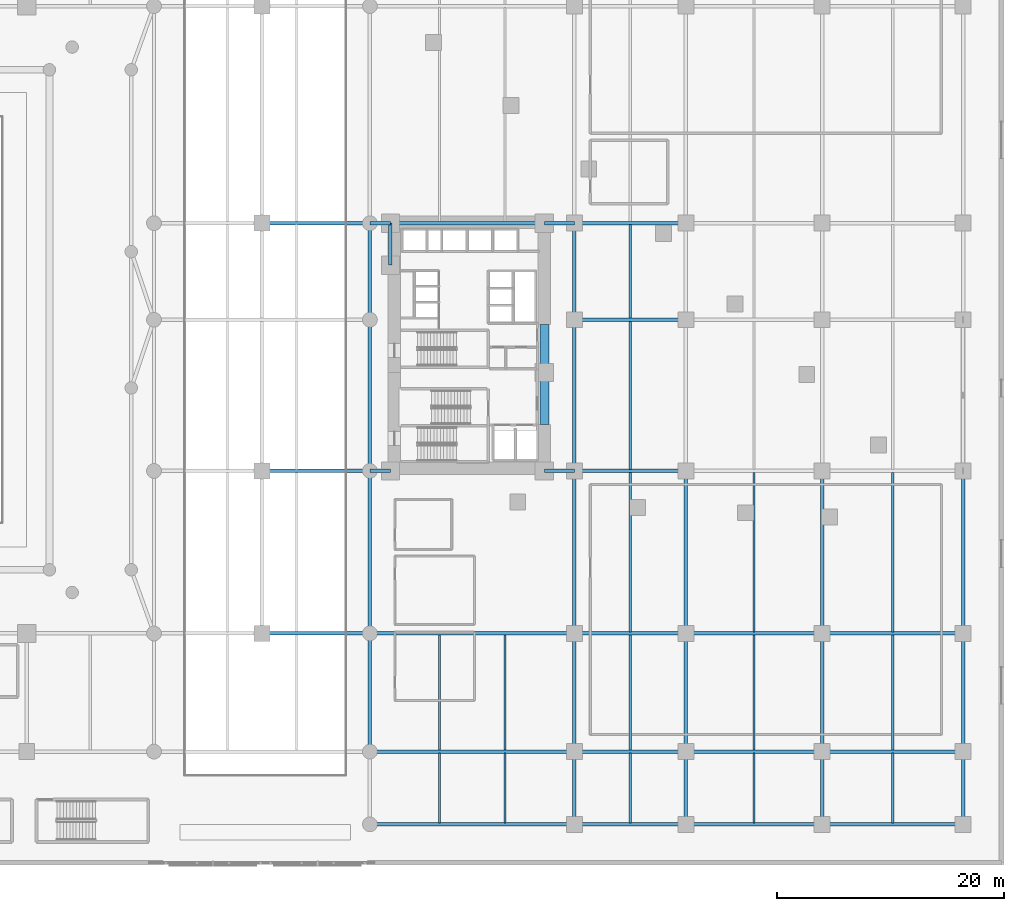
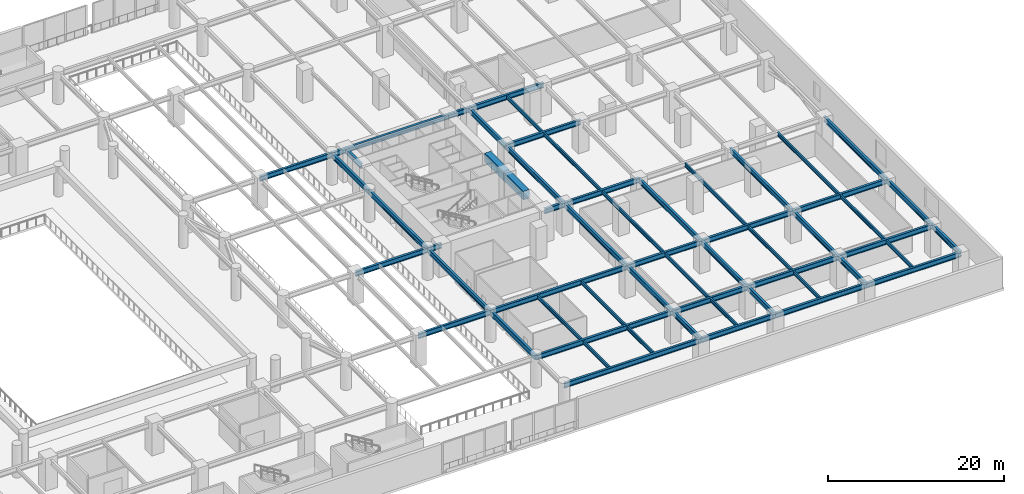
# One storey, part 5 of 32: 59 beams.
"""IFC4 building model written with IfcOpenShell, lengths in metres."""

from ifc_helpers import new_model, si_unit, direction, frame, origin, origin_2d, place, context, subcontext, project, spatial, rectangle, i_section, extrude, material, material_profile, profile_set, type_object, element, save


model = new_model("IFC4")

# Units and contexts
model_context = context("Model", 3, precision=1e-05, world=origin(), true_north=direction((0.0, 1.0)))
body_context = subcontext(model_context, "Body", "Model", "MODEL_VIEW")
ifc_project = project(units=[si_unit("LENGTHUNIT", "METRE"), si_unit("AREAUNIT", "SQUARE_METRE"), si_unit("VOLUMEUNIT", "CUBIC_METRE"), si_unit("PLANEANGLEUNIT", "RADIAN"), si_unit("MASSUNIT", "GRAM", prefix="KILO")], contexts=[model_context])

# Site, building, storey
site_placement = place(None, origin())
site = spatial("IfcSite", under=ifc_project, at=site_placement, CompositionType="ELEMENT")
building_placement = place(site_placement, origin())
building = spatial("IfcBuilding", under=site, at=building_placement, Name="Narakoshi Arena Tower", CompositionType="ELEMENT")
storey_placement = place(building_placement, frame((0.0, 0.0, 4.5)))
storey = spatial("IfcBuildingStorey", under=building, at=storey_placement, Name="L01", CompositionType="ELEMENT", Elevation=4.5)

# Beams
ifc_material_1 = material(Name="Concrete C60/75", Category="concrete")
ifc_material_profile_1 = material_profile(ifc_material_1, rectangle(XDim=0.800048828125, YDim=1.199951171875, at=origin_2d()), Name="RCB800x1200")
ifc_profile_set_1 = profile_set([ifc_material_profile_1], Name="Concrete C60/75")
beam_type_1 = type_object("IfcBeamType", Name="BM-CPL-1200", PredefinedType="LINTEL", material=ifc_profile_set_1)
beam_1_placement = place(storey_placement, frame((85.550048828125, 38.800048828125, 3.580078125), z_axis=(0.0, 1.0, 0.0), x_axis=(-1.0, 0.0, 0.0)))
element("IfcBeam", 1, at=beam_1_placement, inside=storey, type_object=beam_type_1, Name="L01 Core Seismic Coupling Beam 1", PredefinedType="LINTEL", context=body_context, shape_type="SweptSolid", body=[
    extrude(rectangle(XDim=0.800048828125, YDim=1.199951171875, at=origin_2d()), origin(), (0.0, 0.0, 1.0), 4.550048828125),
])
beam_2_placement = place(storey_placement, frame((85.550048828125, 43.35009765625, 3.580078125), z_axis=(0.0, 1.0, 0.0), x_axis=(-1.0, 0.0, 0.0)))
element("IfcBeam", 2, at=beam_2_placement, inside=storey, type_object=beam_type_1, Name="L01 Core Seismic Coupling Beam 2", PredefinedType="LINTEL", context=body_context, shape_type="SweptSolid", body=[
    extrude(rectangle(XDim=0.800048828125, YDim=1.199951171875, at=origin_2d()), origin(), (0.0, 0.0, 1.0), 4.25),
])
ifc_material_2 = material(Name="Structural steel S355J2", Category="steel")
ifc_material_profile_2 = material_profile(ifc_material_2, i_section(OverallWidth=0.300048828125, OverallDepth=0.699951171875, WebThickness=0.01708984375, FlangeThickness=0.031982421875, FilletRadius=0.027099609375, at=origin_2d()), Name="HE700B")
ifc_profile_set_2 = profile_set([ifc_material_profile_2], Name="Structural steel S355J2")
beam_type_2 = type_object("IfcBeamType", Name="BM-PRI-700", PredefinedType="BEAM", material=ifc_profile_set_2)
beam_3_placement = place(storey_placement, frame((70.199951171875, 3.60009765625, 3.830078125), z_axis=(1.0, 0.0, 0.0), x_axis=(0.0, 1.0, 0.0)))
element("IfcBeam", 3, at=beam_3_placement, inside=storey, type_object=beam_type_2, Name="L01 Podium Primary X-Girder 001", PredefinedType="BEAM", context=body_context, shape_type="SweptSolid", body=[
    extrude(i_section(OverallWidth=0.300048828125, OverallDepth=0.699951171875, WebThickness=0.01708984375, FlangeThickness=0.031982421875, FilletRadius=0.027099609375, at=origin_2d()), origin(), (0.0, 0.0, 1.0), 18.0),
])
beam_4_placement = place(storey_placement, frame((88.199951171875, 3.60009765625, 3.830078125), z_axis=(1.0, 0.0, 0.0), x_axis=(0.0, 1.0, 0.0)))
element("IfcBeam", 4, at=beam_4_placement, inside=storey, type_object=beam_type_2, Name="L01 Podium Primary X-Girder 002", PredefinedType="BEAM", context=body_context, shape_type="SweptSolid", body=[
    extrude(i_section(OverallWidth=0.300048828125, OverallDepth=0.699951171875, WebThickness=0.01708984375, FlangeThickness=0.031982421875, FilletRadius=0.027099609375, at=origin_2d()), origin(), (0.0, 0.0, 1.0), 9.800048828125),
])
beam_5_placement = place(storey_placement, frame((98.0, 3.60009765625, 3.830078125), z_axis=(1.0, 0.0, 0.0), x_axis=(0.0, 1.0, 0.0)))
element("IfcBeam", 5, at=beam_5_placement, inside=storey, type_object=beam_type_2, Name="L01 Podium Primary X-Girder 003", PredefinedType="BEAM", context=body_context, shape_type="SweptSolid", body=[
    extrude(i_section(OverallWidth=0.300048828125, OverallDepth=0.699951171875, WebThickness=0.01708984375, FlangeThickness=0.031982421875, FilletRadius=0.027099609375, at=origin_2d()), origin(), (0.0, 0.0, 1.0), 12.0),
])
beam_6_placement = place(storey_placement, frame((110.0, 3.60009765625, 3.830078125), z_axis=(1.0, 0.0, 0.0), x_axis=(0.0, 1.0, 0.0)))
element("IfcBeam", 6, at=beam_6_placement, inside=storey, type_object=beam_type_2, Name="L01 Podium Primary X-Girder 004", PredefinedType="BEAM", context=body_context, shape_type="SweptSolid", body=[
    extrude(i_section(OverallWidth=0.300048828125, OverallDepth=0.699951171875, WebThickness=0.01708984375, FlangeThickness=0.031982421875, FilletRadius=0.027099609375, at=origin_2d()), origin(), (0.0, 0.0, 1.0), 12.39990234375),
])
beam_7_placement = place(storey_placement, frame((70.199951171875, 10.0, 3.830078125), z_axis=(1.0, 0.0, 0.0), x_axis=(0.0, 1.0, 0.0)))
element("IfcBeam", 7, at=beam_7_placement, inside=storey, type_object=beam_type_2, Name="L01 Podium Primary X-Girder 010", PredefinedType="BEAM", context=body_context, shape_type="SweptSolid", body=[
    extrude(i_section(OverallWidth=0.300048828125, OverallDepth=0.699951171875, WebThickness=0.01708984375, FlangeThickness=0.031982421875, FilletRadius=0.027099609375, at=origin_2d()), origin(), (0.0, 0.0, 1.0), 18.0),
])
beam_8_placement = place(storey_placement, frame((88.199951171875, 10.0, 3.830078125), z_axis=(1.0, 0.0, 0.0), x_axis=(0.0, 1.0, 0.0)))
element("IfcBeam", 8, at=beam_8_placement, inside=storey, type_object=beam_type_2, Name="L01 Podium Primary X-Girder 011", PredefinedType="BEAM", context=body_context, shape_type="SweptSolid", body=[
    extrude(i_section(OverallWidth=0.300048828125, OverallDepth=0.699951171875, WebThickness=0.01708984375, FlangeThickness=0.031982421875, FilletRadius=0.027099609375, at=origin_2d()), origin(), (0.0, 0.0, 1.0), 9.800048828125),
])
beam_9_placement = place(storey_placement, frame((98.0, 10.0, 3.830078125), z_axis=(1.0, 0.0, 0.0), x_axis=(0.0, 1.0, 0.0)))
element("IfcBeam", 9, at=beam_9_placement, inside=storey, type_object=beam_type_2, Name="L01 Podium Primary X-Girder 012", PredefinedType="BEAM", context=body_context, shape_type="SweptSolid", body=[
    extrude(i_section(OverallWidth=0.300048828125, OverallDepth=0.699951171875, WebThickness=0.01708984375, FlangeThickness=0.031982421875, FilletRadius=0.027099609375, at=origin_2d()), origin(), (0.0, 0.0, 1.0), 12.0),
])
beam_10_placement = place(storey_placement, frame((110.0, 10.0, 3.830078125), z_axis=(1.0, 0.0, 0.0), x_axis=(0.0, 1.0, 0.0)))
element("IfcBeam", 10, at=beam_10_placement, inside=storey, type_object=beam_type_2, Name="L01 Podium Primary X-Girder 013", PredefinedType="BEAM", context=body_context, shape_type="SweptSolid", body=[
    extrude(i_section(OverallWidth=0.300048828125, OverallDepth=0.699951171875, WebThickness=0.01708984375, FlangeThickness=0.031982421875, FilletRadius=0.027099609375, at=origin_2d()), origin(), (0.0, 0.0, 1.0), 12.39990234375),
])
beam_11_placement = place(storey_placement, frame((60.699951171875, 20.39990234375, 3.830078125), z_axis=(1.0, 0.0, 0.0), x_axis=(0.0, 1.0, 0.0)))
element("IfcBeam", 11, at=beam_11_placement, inside=storey, type_object=beam_type_2, Name="L01 Podium Primary X-Girder 019", PredefinedType="BEAM", context=body_context, shape_type="SweptSolid", body=[
    extrude(i_section(OverallWidth=0.300048828125, OverallDepth=0.699951171875, WebThickness=0.01708984375, FlangeThickness=0.031982421875, FilletRadius=0.027099609375, at=origin_2d()), origin(), (0.0, 0.0, 1.0), 9.5),
])
beam_12_placement = place(storey_placement, frame((70.199951171875, 20.39990234375, 3.830078125), z_axis=(1.0, 0.0, 0.0), x_axis=(0.0, 1.0, 0.0)))
element("IfcBeam", 12, at=beam_12_placement, inside=storey, type_object=beam_type_2, Name="L01 Podium Primary X-Girder 020", PredefinedType="BEAM", context=body_context, shape_type="SweptSolid", body=[
    extrude(i_section(OverallWidth=0.300048828125, OverallDepth=0.699951171875, WebThickness=0.01708984375, FlangeThickness=0.031982421875, FilletRadius=0.027099609375, at=origin_2d()), origin(), (0.0, 0.0, 1.0), 18.0),
])
beam_13_placement = place(storey_placement, frame((88.199951171875, 20.39990234375, 3.830078125), z_axis=(1.0, 0.0, 0.0), x_axis=(0.0, 1.0, 0.0)))
element("IfcBeam", 13, at=beam_13_placement, inside=storey, type_object=beam_type_2, Name="L01 Podium Primary X-Girder 021", PredefinedType="BEAM", context=body_context, shape_type="SweptSolid", body=[
    extrude(i_section(OverallWidth=0.300048828125, OverallDepth=0.699951171875, WebThickness=0.01708984375, FlangeThickness=0.031982421875, FilletRadius=0.027099609375, at=origin_2d()), origin(), (0.0, 0.0, 1.0), 9.800048828125),
])
beam_14_placement = place(storey_placement, frame((98.0, 20.39990234375, 3.830078125), z_axis=(1.0, 0.0, 0.0), x_axis=(0.0, 1.0, 0.0)))
element("IfcBeam", 14, at=beam_14_placement, inside=storey, type_object=beam_type_2, Name="L01 Podium Primary X-Girder 022", PredefinedType="BEAM", context=body_context, shape_type="SweptSolid", body=[
    extrude(i_section(OverallWidth=0.300048828125, OverallDepth=0.699951171875, WebThickness=0.01708984375, FlangeThickness=0.031982421875, FilletRadius=0.027099609375, at=origin_2d()), origin(), (0.0, 0.0, 1.0), 12.0),
])
beam_15_placement = place(storey_placement, frame((110.0, 20.39990234375, 3.830078125), z_axis=(1.0, 0.0, 0.0), x_axis=(0.0, 1.0, 0.0)))
element("IfcBeam", 15, at=beam_15_placement, inside=storey, type_object=beam_type_2, Name="L01 Podium Primary X-Girder 023", PredefinedType="BEAM", context=body_context, shape_type="SweptSolid", body=[
    extrude(i_section(OverallWidth=0.300048828125, OverallDepth=0.699951171875, WebThickness=0.01708984375, FlangeThickness=0.031982421875, FilletRadius=0.027099609375, at=origin_2d()), origin(), (0.0, 0.0, 1.0), 12.39990234375),
])
beam_16_placement = place(storey_placement, frame((60.699951171875, 34.699951171875, 3.830078125), z_axis=(1.0, 0.0, 0.0), x_axis=(0.0, 1.0, 0.0)))
element("IfcBeam", 16, at=beam_16_placement, inside=storey, type_object=beam_type_2, Name="L01 Podium Primary X-Girder 025", PredefinedType="BEAM", context=body_context, shape_type="SweptSolid", body=[
    extrude(i_section(OverallWidth=0.300048828125, OverallDepth=0.699951171875, WebThickness=0.01708984375, FlangeThickness=0.031982421875, FilletRadius=0.027099609375, at=origin_2d()), origin(), (0.0, 0.0, 1.0), 9.5),
])
beam_17_placement = place(storey_placement, frame((70.199951171875, 34.699951171875, 3.830078125), z_axis=(1.0, 0.0, 0.0), x_axis=(0.0, 1.0, 0.0)))
element("IfcBeam", 17, at=beam_17_placement, inside=storey, type_object=beam_type_2, Name="L01 Podium Primary X-Girder 026", PredefinedType="BEAM", context=body_context, shape_type="SweptSolid", body=[
    extrude(i_section(OverallWidth=0.300048828125, OverallDepth=0.699951171875, WebThickness=0.01708984375, FlangeThickness=0.031982421875, FilletRadius=0.027099609375, at=origin_2d()), origin(), (0.0, 0.0, 1.0), 1.800048828125),
])
beam_18_placement = place(storey_placement, frame((85.550048828125, 34.699951171875, 3.830078125), z_axis=(1.0, 0.0, 0.0), x_axis=(0.0, 1.0, 0.0)))
element("IfcBeam", 18, at=beam_18_placement, inside=storey, type_object=beam_type_2, Name="L01 Podium Primary X-Girder 027", PredefinedType="BEAM", context=body_context, shape_type="SweptSolid", body=[
    extrude(i_section(OverallWidth=0.300048828125, OverallDepth=0.699951171875, WebThickness=0.01708984375, FlangeThickness=0.031982421875, FilletRadius=0.027099609375, at=origin_2d()), origin(), (0.0, 0.0, 1.0), 2.64990234375),
])
for number, where, z_axis, x_axis, name in (
    (19, (88.199951171875, 34.699951171875, 3.830078125), (1.0, 0.0, 0.0), (0.0, 1.0, 0.0), "L01 Podium Primary X-Girder 028"),
    (20, (88.199951171875, 48.0, 3.830078125), (1.0, 0.0, 0.0), (0.0, 1.0, 0.0), "L01 Podium Primary X-Girder 032"),
):
    element("IfcBeam", number, at=place(storey_placement, frame(where, z_axis=z_axis, x_axis=x_axis)), inside=storey, type_object=beam_type_2, Name=name, PredefinedType="BEAM", context=body_context, shape_type="SweptSolid", body=[
        extrude(i_section(OverallWidth=0.300048828125, OverallDepth=0.699951171875, WebThickness=0.01708984375, FlangeThickness=0.031982421875, FilletRadius=0.027099609375, at=origin_2d()), origin(), (0.0, 0.0, 1.0), 9.800048828125),
    ])
beam_19_placement = place(storey_placement, frame((60.699951171875, 56.5, 3.830078125), z_axis=(1.0, 0.0, 0.0), x_axis=(0.0, 1.0, 0.0)))
element("IfcBeam", 21, at=beam_19_placement, inside=storey, type_object=beam_type_2, Name="L01 Podium Primary X-Girder 036", PredefinedType="BEAM", context=body_context, shape_type="SweptSolid", body=[
    extrude(i_section(OverallWidth=0.300048828125, OverallDepth=0.699951171875, WebThickness=0.01708984375, FlangeThickness=0.031982421875, FilletRadius=0.027099609375, at=origin_2d()), origin(), (0.0, 0.0, 1.0), 9.5),
])
beam_20_placement = place(storey_placement, frame((70.199951171875, 56.5, 3.830078125), z_axis=(1.0, 0.0, 0.0), x_axis=(0.0, 1.0, 0.0)))
element("IfcBeam", 22, at=beam_20_placement, inside=storey, type_object=beam_type_2, Name="L01 Podium Primary X-Girder 037", PredefinedType="BEAM", context=body_context, shape_type="SweptSolid", body=[
    extrude(i_section(OverallWidth=0.300048828125, OverallDepth=0.699951171875, WebThickness=0.01708984375, FlangeThickness=0.031982421875, FilletRadius=0.027099609375, at=origin_2d()), origin(), (0.0, 0.0, 1.0), 1.800048828125),
])
beam_21_placement = place(storey_placement, frame((72.0, 56.5, 3.830078125), z_axis=(1.0, 0.0, 0.0), x_axis=(0.0, 1.0, 0.0)))
element("IfcBeam", 23, at=beam_21_placement, inside=storey, type_object=beam_type_2, Name="L01 Podium Primary X-Girder 038", PredefinedType="BEAM", context=body_context, shape_type="SweptSolid", body=[
    extrude(i_section(OverallWidth=0.300048828125, OverallDepth=0.699951171875, WebThickness=0.01708984375, FlangeThickness=0.031982421875, FilletRadius=0.027099609375, at=origin_2d()), origin(), (0.0, 0.0, 1.0), 13.550048828125),
])
beam_22_placement = place(storey_placement, frame((85.550048828125, 56.5, 3.830078125), z_axis=(1.0, 0.0, 0.0), x_axis=(0.0, 1.0, 0.0)))
element("IfcBeam", 24, at=beam_22_placement, inside=storey, type_object=beam_type_2, Name="L01 Podium Primary X-Girder 039", PredefinedType="BEAM", context=body_context, shape_type="SweptSolid", body=[
    extrude(i_section(OverallWidth=0.300048828125, OverallDepth=0.699951171875, WebThickness=0.01708984375, FlangeThickness=0.031982421875, FilletRadius=0.027099609375, at=origin_2d()), origin(), (0.0, 0.0, 1.0), 2.64990234375),
])
beam_23_placement = place(storey_placement, frame((88.199951171875, 56.5, 3.830078125), z_axis=(1.0, 0.0, 0.0), x_axis=(0.0, 1.0, 0.0)))
element("IfcBeam", 25, at=beam_23_placement, inside=storey, type_object=beam_type_2, Name="L01 Podium Primary X-Girder 040", PredefinedType="BEAM", context=body_context, shape_type="SweptSolid", body=[
    extrude(i_section(OverallWidth=0.300048828125, OverallDepth=0.699951171875, WebThickness=0.01708984375, FlangeThickness=0.031982421875, FilletRadius=0.027099609375, at=origin_2d()), origin(), (0.0, 0.0, 1.0), 9.800048828125),
])
beam_24_placement = place(storey_placement, frame((70.199951171875, 10.0, 3.830078125), z_axis=(0.0, 1.0, 0.0), x_axis=(-1.0, 0.0, 0.0)))
element("IfcBeam", 26, at=beam_24_placement, inside=storey, type_object=beam_type_2, Name="L01 Podium Primary Y-Girder 090", PredefinedType="BEAM", context=body_context, shape_type="SweptSolid", body=[
    extrude(i_section(OverallWidth=0.300048828125, OverallDepth=0.699951171875, WebThickness=0.01708984375, FlangeThickness=0.031982421875, FilletRadius=0.027099609375, at=origin_2d()), origin(), (0.0, 0.0, 1.0), 10.39990234375),
])
beam_25_placement = place(storey_placement, frame((70.199951171875, 20.39990234375, 3.830078125), z_axis=(0.0, 1.0, 0.0), x_axis=(-1.0, 0.0, 0.0)))
element("IfcBeam", 27, at=beam_25_placement, inside=storey, type_object=beam_type_2, Name="L01 Podium Primary Y-Girder 091", PredefinedType="BEAM", context=body_context, shape_type="SweptSolid", body=[
    extrude(i_section(OverallWidth=0.300048828125, OverallDepth=0.699951171875, WebThickness=0.01708984375, FlangeThickness=0.031982421875, FilletRadius=0.027099609375, at=origin_2d()), origin(), (0.0, 0.0, 1.0), 14.300048828125),
])
beam_26_placement = place(storey_placement, frame((70.199951171875, 34.699951171875, 3.830078125), z_axis=(0.0, 1.0, 0.0), x_axis=(-1.0, 0.0, 0.0)))
element("IfcBeam", 28, at=beam_26_placement, inside=storey, type_object=beam_type_2, Name="L01 Podium Primary Y-Girder 092", PredefinedType="BEAM", context=body_context, shape_type="SweptSolid", body=[
    extrude(i_section(OverallWidth=0.300048828125, OverallDepth=0.699951171875, WebThickness=0.01708984375, FlangeThickness=0.031982421875, FilletRadius=0.027099609375, at=origin_2d()), origin(), (0.0, 0.0, 1.0), 13.300048828125),
])
beam_27_placement = place(storey_placement, frame((70.199951171875, 48.0, 3.830078125), z_axis=(0.0, 1.0, 0.0), x_axis=(-1.0, 0.0, 0.0)))
element("IfcBeam", 29, at=beam_27_placement, inside=storey, type_object=beam_type_2, Name="L01 Podium Primary Y-Girder 093", PredefinedType="BEAM", context=body_context, shape_type="SweptSolid", body=[
    extrude(i_section(OverallWidth=0.300048828125, OverallDepth=0.699951171875, WebThickness=0.01708984375, FlangeThickness=0.031982421875, FilletRadius=0.027099609375, at=origin_2d()), origin(), (0.0, 0.0, 1.0), 8.5),
])
beam_28_placement = place(storey_placement, frame((72.0, 52.800048828125, 3.830078125), z_axis=(0.0, 1.0, 0.0), x_axis=(-1.0, 0.0, 0.0)))
element("IfcBeam", 30, at=beam_28_placement, inside=storey, type_object=beam_type_2, Name="L01 Podium Primary Y-Girder 097", PredefinedType="BEAM", context=body_context, shape_type="SweptSolid", body=[
    extrude(i_section(OverallWidth=0.300048828125, OverallDepth=0.699951171875, WebThickness=0.01708984375, FlangeThickness=0.031982421875, FilletRadius=0.027099609375, at=origin_2d()), origin(), (0.0, 0.0, 1.0), 3.699951171875),
])
beam_29_placement = place(storey_placement, frame((88.199951171875, 3.60009765625, 3.830078125), z_axis=(0.0, 1.0, 0.0), x_axis=(-1.0, 0.0, 0.0)))
element("IfcBeam", 31, at=beam_29_placement, inside=storey, type_object=beam_type_2, Name="L01 Podium Primary Y-Girder 098", PredefinedType="BEAM", context=body_context, shape_type="SweptSolid", body=[
    extrude(i_section(OverallWidth=0.300048828125, OverallDepth=0.699951171875, WebThickness=0.01708984375, FlangeThickness=0.031982421875, FilletRadius=0.027099609375, at=origin_2d()), origin(), (0.0, 0.0, 1.0), 6.39990234375),
])
beam_30_placement = place(storey_placement, frame((88.199951171875, 10.0, 3.830078125), z_axis=(0.0, 1.0, 0.0), x_axis=(-1.0, 0.0, 0.0)))
element("IfcBeam", 32, at=beam_30_placement, inside=storey, type_object=beam_type_2, Name="L01 Podium Primary Y-Girder 099", PredefinedType="BEAM", context=body_context, shape_type="SweptSolid", body=[
    extrude(i_section(OverallWidth=0.300048828125, OverallDepth=0.699951171875, WebThickness=0.01708984375, FlangeThickness=0.031982421875, FilletRadius=0.027099609375, at=origin_2d()), origin(), (0.0, 0.0, 1.0), 10.39990234375),
])
beam_31_placement = place(storey_placement, frame((88.199951171875, 20.39990234375, 3.830078125), z_axis=(0.0, 1.0, 0.0), x_axis=(-1.0, 0.0, 0.0)))
element("IfcBeam", 33, at=beam_31_placement, inside=storey, type_object=beam_type_2, Name="L01 Podium Primary Y-Girder 100", PredefinedType="BEAM", context=body_context, shape_type="SweptSolid", body=[
    extrude(i_section(OverallWidth=0.300048828125, OverallDepth=0.699951171875, WebThickness=0.01708984375, FlangeThickness=0.031982421875, FilletRadius=0.027099609375, at=origin_2d()), origin(), (0.0, 0.0, 1.0), 14.300048828125),
])
beam_32_placement = place(storey_placement, frame((88.199951171875, 34.699951171875, 3.830078125), z_axis=(0.0, 1.0, 0.0), x_axis=(-1.0, 0.0, 0.0)))
element("IfcBeam", 34, at=beam_32_placement, inside=storey, type_object=beam_type_2, Name="L01 Podium Primary Y-Girder 101", PredefinedType="BEAM", context=body_context, shape_type="SweptSolid", body=[
    extrude(i_section(OverallWidth=0.300048828125, OverallDepth=0.699951171875, WebThickness=0.01708984375, FlangeThickness=0.031982421875, FilletRadius=0.027099609375, at=origin_2d()), origin(), (0.0, 0.0, 1.0), 13.300048828125),
])
beam_33_placement = place(storey_placement, frame((88.199951171875, 48.0, 3.830078125), z_axis=(0.0, 1.0, 0.0), x_axis=(-1.0, 0.0, 0.0)))
element("IfcBeam", 35, at=beam_33_placement, inside=storey, type_object=beam_type_2, Name="L01 Podium Primary Y-Girder 102", PredefinedType="BEAM", context=body_context, shape_type="SweptSolid", body=[
    extrude(i_section(OverallWidth=0.300048828125, OverallDepth=0.699951171875, WebThickness=0.01708984375, FlangeThickness=0.031982421875, FilletRadius=0.027099609375, at=origin_2d()), origin(), (0.0, 0.0, 1.0), 8.5),
])
beam_34_placement = place(storey_placement, frame((98.0, 3.60009765625, 3.830078125), z_axis=(0.0, 1.0, 0.0), x_axis=(-1.0, 0.0, 0.0)))
element("IfcBeam", 36, at=beam_34_placement, inside=storey, type_object=beam_type_2, Name="L01 Podium Primary Y-Girder 106", PredefinedType="BEAM", context=body_context, shape_type="SweptSolid", body=[
    extrude(i_section(OverallWidth=0.300048828125, OverallDepth=0.699951171875, WebThickness=0.01708984375, FlangeThickness=0.031982421875, FilletRadius=0.027099609375, at=origin_2d()), origin(), (0.0, 0.0, 1.0), 6.39990234375),
])
beam_35_placement = place(storey_placement, frame((98.0, 10.0, 3.830078125), z_axis=(0.0, 1.0, 0.0), x_axis=(-1.0, 0.0, 0.0)))
element("IfcBeam", 37, at=beam_35_placement, inside=storey, type_object=beam_type_2, Name="L01 Podium Primary Y-Girder 107", PredefinedType="BEAM", context=body_context, shape_type="SweptSolid", body=[
    extrude(i_section(OverallWidth=0.300048828125, OverallDepth=0.699951171875, WebThickness=0.01708984375, FlangeThickness=0.031982421875, FilletRadius=0.027099609375, at=origin_2d()), origin(), (0.0, 0.0, 1.0), 10.39990234375),
])
beam_36_placement = place(storey_placement, frame((98.0, 20.39990234375, 3.830078125), z_axis=(0.0, 1.0, 0.0), x_axis=(-1.0, 0.0, 0.0)))
element("IfcBeam", 38, at=beam_36_placement, inside=storey, type_object=beam_type_2, Name="L01 Podium Primary Y-Girder 108", PredefinedType="BEAM", context=body_context, shape_type="SweptSolid", body=[
    extrude(i_section(OverallWidth=0.300048828125, OverallDepth=0.699951171875, WebThickness=0.01708984375, FlangeThickness=0.031982421875, FilletRadius=0.027099609375, at=origin_2d()), origin(), (0.0, 0.0, 1.0), 14.300048828125),
])
beam_37_placement = place(storey_placement, frame((110.0, 3.60009765625, 3.830078125), z_axis=(0.0, 1.0, 0.0), x_axis=(-1.0, 0.0, 0.0)))
element("IfcBeam", 39, at=beam_37_placement, inside=storey, type_object=beam_type_2, Name="L01 Podium Primary Y-Girder 114", PredefinedType="BEAM", context=body_context, shape_type="SweptSolid", body=[
    extrude(i_section(OverallWidth=0.300048828125, OverallDepth=0.699951171875, WebThickness=0.01708984375, FlangeThickness=0.031982421875, FilletRadius=0.027099609375, at=origin_2d()), origin(), (0.0, 0.0, 1.0), 6.39990234375),
])
beam_38_placement = place(storey_placement, frame((110.0, 10.0, 3.830078125), z_axis=(0.0, 1.0, 0.0), x_axis=(-1.0, 0.0, 0.0)))
element("IfcBeam", 40, at=beam_38_placement, inside=storey, type_object=beam_type_2, Name="L01 Podium Primary Y-Girder 115", PredefinedType="BEAM", context=body_context, shape_type="SweptSolid", body=[
    extrude(i_section(OverallWidth=0.300048828125, OverallDepth=0.699951171875, WebThickness=0.01708984375, FlangeThickness=0.031982421875, FilletRadius=0.027099609375, at=origin_2d()), origin(), (0.0, 0.0, 1.0), 10.39990234375),
])
beam_39_placement = place(storey_placement, frame((110.0, 20.39990234375, 3.830078125), z_axis=(0.0, 1.0, 0.0), x_axis=(-1.0, 0.0, 0.0)))
element("IfcBeam", 41, at=beam_39_placement, inside=storey, type_object=beam_type_2, Name="L01 Podium Primary Y-Girder 116", PredefinedType="BEAM", context=body_context, shape_type="SweptSolid", body=[
    extrude(i_section(OverallWidth=0.300048828125, OverallDepth=0.699951171875, WebThickness=0.01708984375, FlangeThickness=0.031982421875, FilletRadius=0.027099609375, at=origin_2d()), origin(), (0.0, 0.0, 1.0), 14.300048828125),
])
beam_40_placement = place(storey_placement, frame((122.39990234375, 3.60009765625, 3.830078125), z_axis=(0.0, 1.0, 0.0), x_axis=(-1.0, 0.0, 0.0)))
element("IfcBeam", 42, at=beam_40_placement, inside=storey, type_object=beam_type_2, Name="L01 Podium Primary Y-Girder 122", PredefinedType="BEAM", context=body_context, shape_type="SweptSolid", body=[
    extrude(i_section(OverallWidth=0.300048828125, OverallDepth=0.699951171875, WebThickness=0.01708984375, FlangeThickness=0.031982421875, FilletRadius=0.027099609375, at=origin_2d()), origin(), (0.0, 0.0, 1.0), 6.39990234375),
])
beam_41_placement = place(storey_placement, frame((122.39990234375, 10.0, 3.830078125), z_axis=(0.0, 1.0, 0.0), x_axis=(-1.0, 0.0, 0.0)))
element("IfcBeam", 43, at=beam_41_placement, inside=storey, type_object=beam_type_2, Name="L01 Podium Primary Y-Girder 123", PredefinedType="BEAM", context=body_context, shape_type="SweptSolid", body=[
    extrude(i_section(OverallWidth=0.300048828125, OverallDepth=0.699951171875, WebThickness=0.01708984375, FlangeThickness=0.031982421875, FilletRadius=0.027099609375, at=origin_2d()), origin(), (0.0, 0.0, 1.0), 10.39990234375),
])
beam_42_placement = place(storey_placement, frame((122.39990234375, 20.39990234375, 3.830078125), z_axis=(0.0, 1.0, 0.0), x_axis=(-1.0, 0.0, 0.0)))
element("IfcBeam", 44, at=beam_42_placement, inside=storey, type_object=beam_type_2, Name="L01 Podium Primary Y-Girder 124", PredefinedType="BEAM", context=body_context, shape_type="SweptSolid", body=[
    extrude(i_section(OverallWidth=0.300048828125, OverallDepth=0.699951171875, WebThickness=0.01708984375, FlangeThickness=0.031982421875, FilletRadius=0.027099609375, at=origin_2d()), origin(), (0.0, 0.0, 1.0), 14.300048828125),
])
ifc_material_profile_3 = material_profile(ifc_material_2, i_section(OverallWidth=0.199951171875, OverallDepth=0.5, WebThickness=0.01025390625, FlangeThickness=0.01611328125, FilletRadius=0.02099609375, at=origin_2d()), Name="IPE500")
ifc_profile_set_3 = profile_set([ifc_material_profile_3], Name="Structural steel S355J2")
beam_type_3 = type_object("IfcBeamType", Name="BM-SEC-500", PredefinedType="JOIST", material=ifc_profile_set_3)
beam_43_placement = place(storey_placement, frame((76.320068359375, 3.735107421875, 3.929931640625), z_axis=(0.0, 1.0, 0.0), x_axis=(-1.0, 0.0, 0.0)))
element("IfcBeam", 45, at=beam_43_placement, inside=storey, type_object=beam_type_3, Name="L01 Podium Composite Floor Joist 021", PredefinedType="JOIST", context=body_context, shape_type="SweptSolid", body=[
    extrude(i_section(OverallWidth=0.199951171875, OverallDepth=0.5, WebThickness=0.01025390625, FlangeThickness=0.01611328125, FilletRadius=0.02099609375, at=origin_2d()), origin(), (0.0, 0.0, 1.0), 6.1298828125),
])
beam_44_placement = place(storey_placement, frame((76.320068359375, 10.135009765625, 3.929931640625), z_axis=(0.0, 1.0, 0.0), x_axis=(-1.0, 0.0, 0.0)))
element("IfcBeam", 46, at=beam_44_placement, inside=storey, type_object=beam_type_3, Name="L01 Podium Composite Floor Joist 022", PredefinedType="JOIST", context=body_context, shape_type="SweptSolid", body=[
    extrude(i_section(OverallWidth=0.199951171875, OverallDepth=0.5, WebThickness=0.01025390625, FlangeThickness=0.01611328125, FilletRadius=0.02099609375, at=origin_2d()), origin(), (0.0, 0.0, 1.0), 10.1298828125),
])
beam_45_placement = place(storey_placement, frame((82.080078125, 3.735107421875, 3.929931640625), z_axis=(0.0, 1.0, 0.0), x_axis=(-1.0, 0.0, 0.0)))
element("IfcBeam", 47, at=beam_45_placement, inside=storey, type_object=beam_type_3, Name="L01 Podium Composite Floor Joist 026", PredefinedType="JOIST", context=body_context, shape_type="SweptSolid", body=[
    extrude(i_section(OverallWidth=0.199951171875, OverallDepth=0.5, WebThickness=0.01025390625, FlangeThickness=0.01611328125, FilletRadius=0.02099609375, at=origin_2d()), origin(), (0.0, 0.0, 1.0), 6.1298828125),
])
beam_46_placement = place(storey_placement, frame((82.080078125, 10.135009765625, 3.929931640625), z_axis=(0.0, 1.0, 0.0), x_axis=(-1.0, 0.0, 0.0)))
element("IfcBeam", 48, at=beam_46_placement, inside=storey, type_object=beam_type_3, Name="L01 Podium Composite Floor Joist 027", PredefinedType="JOIST", context=body_context, shape_type="SweptSolid", body=[
    extrude(i_section(OverallWidth=0.199951171875, OverallDepth=0.5, WebThickness=0.01025390625, FlangeThickness=0.01611328125, FilletRadius=0.02099609375, at=origin_2d()), origin(), (0.0, 0.0, 1.0), 10.1298828125),
])
beam_47_placement = place(storey_placement, frame((93.10009765625, 3.735107421875, 3.929931640625), z_axis=(0.0, 1.0, 0.0), x_axis=(-1.0, 0.0, 0.0)))
element("IfcBeam", 49, at=beam_47_placement, inside=storey, type_object=beam_type_3, Name="L01 Podium Composite Floor Joist 031", PredefinedType="JOIST", context=body_context, shape_type="SweptSolid", body=[
    extrude(i_section(OverallWidth=0.199951171875, OverallDepth=0.5, WebThickness=0.01025390625, FlangeThickness=0.01611328125, FilletRadius=0.02099609375, at=origin_2d()), origin(), (0.0, 0.0, 1.0), 6.1298828125),
])
beam_48_placement = place(storey_placement, frame((93.10009765625, 10.135009765625, 3.929931640625), z_axis=(0.0, 1.0, 0.0), x_axis=(-1.0, 0.0, 0.0)))
element("IfcBeam", 50, at=beam_48_placement, inside=storey, type_object=beam_type_3, Name="L01 Podium Composite Floor Joist 032", PredefinedType="JOIST", context=body_context, shape_type="SweptSolid", body=[
    extrude(i_section(OverallWidth=0.199951171875, OverallDepth=0.5, WebThickness=0.01025390625, FlangeThickness=0.01611328125, FilletRadius=0.02099609375, at=origin_2d()), origin(), (0.0, 0.0, 1.0), 10.1298828125),
])
beam_49_placement = place(storey_placement, frame((93.10009765625, 20.534912109375, 3.929931640625), z_axis=(0.0, 1.0, 0.0), x_axis=(-1.0, 0.0, 0.0)))
element("IfcBeam", 51, at=beam_49_placement, inside=storey, type_object=beam_type_3, Name="L01 Podium Composite Floor Joist 033", PredefinedType="JOIST", context=body_context, shape_type="SweptSolid", body=[
    extrude(i_section(OverallWidth=0.199951171875, OverallDepth=0.5, WebThickness=0.01025390625, FlangeThickness=0.01611328125, FilletRadius=0.02099609375, at=origin_2d()), origin(), (0.0, 0.0, 1.0), 14.030029296875),
])
beam_50_placement = place(storey_placement, frame((93.10009765625, 34.8349609375, 3.929931640625), z_axis=(0.0, 1.0, 0.0), x_axis=(-1.0, 0.0, 0.0)))
element("IfcBeam", 52, at=beam_50_placement, inside=storey, type_object=beam_type_3, Name="L01 Podium Composite Floor Joist 034", PredefinedType="JOIST", context=body_context, shape_type="SweptSolid", body=[
    extrude(i_section(OverallWidth=0.199951171875, OverallDepth=0.5, WebThickness=0.01025390625, FlangeThickness=0.01611328125, FilletRadius=0.02099609375, at=origin_2d()), origin(), (0.0, 0.0, 1.0), 13.030029296875),
])
beam_51_placement = place(storey_placement, frame((93.10009765625, 48.135009765625, 3.929931640625), z_axis=(0.0, 1.0, 0.0), x_axis=(-1.0, 0.0, 0.0)))
element("IfcBeam", 53, at=beam_51_placement, inside=storey, type_object=beam_type_3, Name="L01 Podium Composite Floor Joist 035", PredefinedType="JOIST", context=body_context, shape_type="SweptSolid", body=[
    extrude(i_section(OverallWidth=0.199951171875, OverallDepth=0.5, WebThickness=0.01025390625, FlangeThickness=0.01611328125, FilletRadius=0.02099609375, at=origin_2d()), origin(), (0.0, 0.0, 1.0), 8.22998046875),
])
beam_52_placement = place(storey_placement, frame((104.0, 3.735107421875, 3.929931640625), z_axis=(0.0, 1.0, 0.0), x_axis=(-1.0, 0.0, 0.0)))
element("IfcBeam", 54, at=beam_52_placement, inside=storey, type_object=beam_type_3, Name="L01 Podium Composite Floor Joist 039", PredefinedType="JOIST", context=body_context, shape_type="SweptSolid", body=[
    extrude(i_section(OverallWidth=0.199951171875, OverallDepth=0.5, WebThickness=0.01025390625, FlangeThickness=0.01611328125, FilletRadius=0.02099609375, at=origin_2d()), origin(), (0.0, 0.0, 1.0), 6.1298828125),
])
beam_53_placement = place(storey_placement, frame((104.0, 10.135009765625, 3.929931640625), z_axis=(0.0, 1.0, 0.0), x_axis=(-1.0, 0.0, 0.0)))
element("IfcBeam", 55, at=beam_53_placement, inside=storey, type_object=beam_type_3, Name="L01 Podium Composite Floor Joist 040", PredefinedType="JOIST", context=body_context, shape_type="SweptSolid", body=[
    extrude(i_section(OverallWidth=0.199951171875, OverallDepth=0.5, WebThickness=0.01025390625, FlangeThickness=0.01611328125, FilletRadius=0.02099609375, at=origin_2d()), origin(), (0.0, 0.0, 1.0), 10.1298828125),
])
beam_54_placement = place(storey_placement, frame((104.0, 20.534912109375, 3.929931640625), z_axis=(0.0, 1.0, 0.0), x_axis=(-1.0, 0.0, 0.0)))
element("IfcBeam", 56, at=beam_54_placement, inside=storey, type_object=beam_type_3, Name="L01 Podium Composite Floor Joist 041", PredefinedType="JOIST", context=body_context, shape_type="SweptSolid", body=[
    extrude(i_section(OverallWidth=0.199951171875, OverallDepth=0.5, WebThickness=0.01025390625, FlangeThickness=0.01611328125, FilletRadius=0.02099609375, at=origin_2d()), origin(), (0.0, 0.0, 1.0), 14.030029296875),
])
beam_55_placement = place(storey_placement, frame((116.199951171875, 3.735107421875, 3.929931640625), z_axis=(0.0, 1.0, 0.0), x_axis=(-1.0, 0.0, 0.0)))
element("IfcBeam", 57, at=beam_55_placement, inside=storey, type_object=beam_type_3, Name="L01 Podium Composite Floor Joist 047", PredefinedType="JOIST", context=body_context, shape_type="SweptSolid", body=[
    extrude(i_section(OverallWidth=0.199951171875, OverallDepth=0.5, WebThickness=0.01025390625, FlangeThickness=0.01611328125, FilletRadius=0.02099609375, at=origin_2d()), origin(), (0.0, 0.0, 1.0), 6.1298828125),
])
beam_56_placement = place(storey_placement, frame((116.199951171875, 10.135009765625, 3.929931640625), z_axis=(0.0, 1.0, 0.0), x_axis=(-1.0, 0.0, 0.0)))
element("IfcBeam", 58, at=beam_56_placement, inside=storey, type_object=beam_type_3, Name="L01 Podium Composite Floor Joist 048", PredefinedType="JOIST", context=body_context, shape_type="SweptSolid", body=[
    extrude(i_section(OverallWidth=0.199951171875, OverallDepth=0.5, WebThickness=0.01025390625, FlangeThickness=0.01611328125, FilletRadius=0.02099609375, at=origin_2d()), origin(), (0.0, 0.0, 1.0), 10.1298828125),
])
beam_57_placement = place(storey_placement, frame((116.199951171875, 20.534912109375, 3.929931640625), z_axis=(0.0, 1.0, 0.0), x_axis=(-1.0, 0.0, 0.0)))
element("IfcBeam", 59, at=beam_57_placement, inside=storey, type_object=beam_type_3, Name="L01 Podium Composite Floor Joist 049", PredefinedType="JOIST", context=body_context, shape_type="SweptSolid", body=[
    extrude(i_section(OverallWidth=0.199951171875, OverallDepth=0.5, WebThickness=0.01025390625, FlangeThickness=0.01611328125, FilletRadius=0.02099609375, at=origin_2d()), origin(), (0.0, 0.0, 1.0), 14.030029296875),
])

save(model, "model.ifc")
